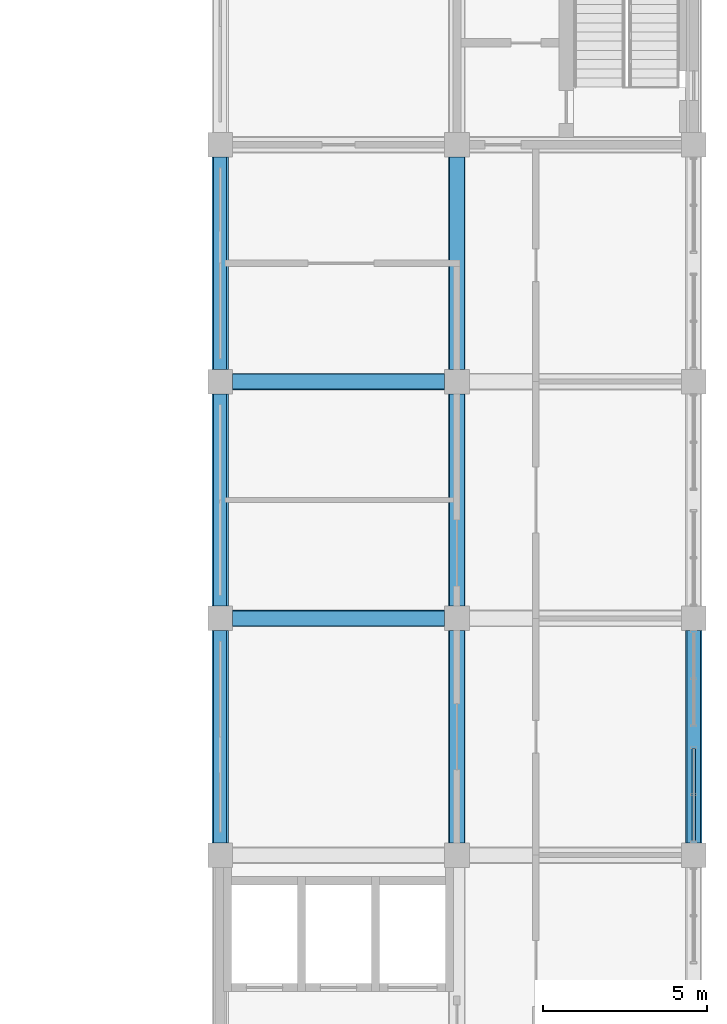
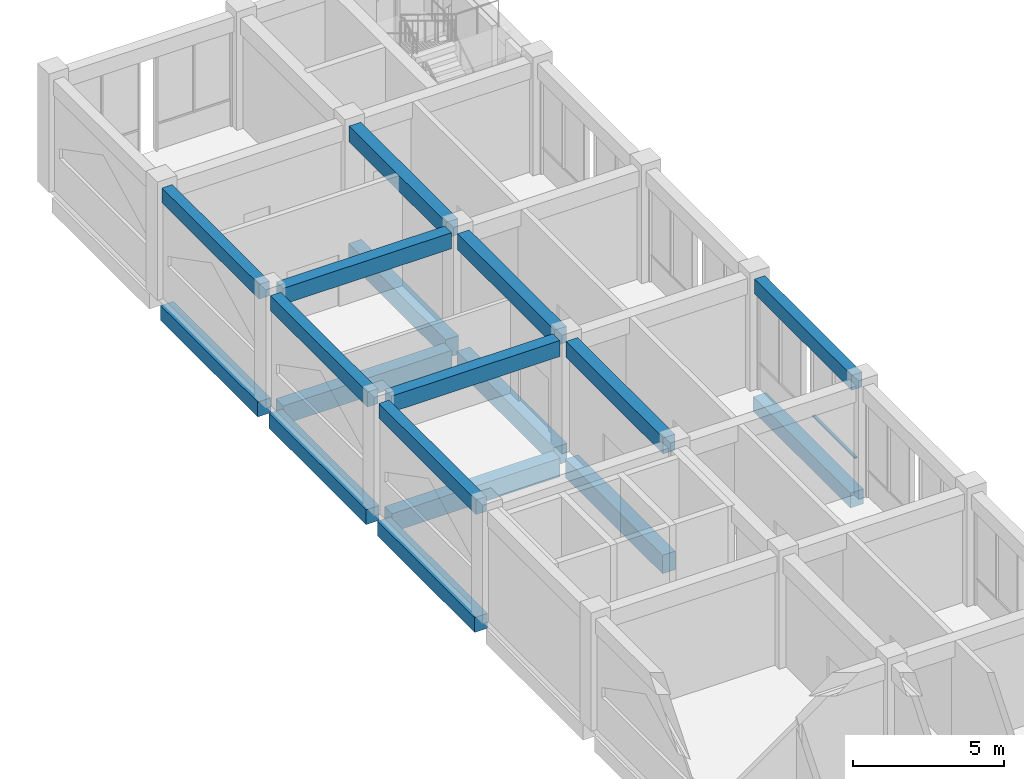
# One storey, part 19 of 39: 18 beams, 1 member, 1 element without a shape of its own.
"""IFC4 building model written with IfcOpenShell, lengths in metres."""

from ifc_helpers import new_model, si_unit, direction, frame, origin, origin_2d, place, context, subcontext, project, spatial, rectangle, hollow_rectangle, extrude, material, material_profile, profile_set, type_object, element, aggregate, save


model = new_model("IFC4")

# Units and contexts
model_context = context("Model", 3, precision=1e-05, world=origin(), true_north=direction((0.0, 1.0)))
body_context = subcontext(model_context, "Body", "Model", "MODEL_VIEW")
ifc_project = project(units=[si_unit("LENGTHUNIT", "METRE"), si_unit("AREAUNIT", "SQUARE_METRE"), si_unit("VOLUMEUNIT", "CUBIC_METRE"), si_unit("PLANEANGLEUNIT", "RADIAN"), si_unit("MASSUNIT", "GRAM", prefix="KILO")], contexts=[model_context])

# Site, building, storey
site_placement = place(None, origin())
site = spatial("IfcSite", under=ifc_project, at=site_placement, CompositionType="ELEMENT")
building_placement = place(site_placement, origin())
building = spatial("IfcBuilding", under=site, at=building_placement, Name="Silangan Lancet Faculty of Sciences", CompositionType="ELEMENT")
storey_placement = place(building_placement, frame((0.0, 0.0, 26.39990234375)))
storey = spatial("IfcBuildingStorey", under=building, at=storey_placement, Name="L05", CompositionType="ELEMENT", Elevation=26.39990234375)

# Beams
ifc_material_1 = material(Name="Concrete C40/50", Category="concrete")
ifc_material_profile_1 = material_profile(ifc_material_1, rectangle(XDim=0.39990234375, YDim=0.60009765625, at=origin_2d()), Name="RC 400x600")
ifc_profile_set_1 = profile_set([ifc_material_profile_1], Name="Concrete C40/50")
beam_type_1 = type_object("IfcBeamType", Name="BEAM RC 400x600", PredefinedType="BEAM", material=ifc_profile_set_1)
for number, where, z_axis, x_axis, name in (
    (1, (72.0, 29.175048828125, 4.2001953125), (0.0, 1.0, 0.0), (-1.0, 0.0, 0.0), "RB-L05-11E-11F"),
    (2, (72.0, 36.375, 4.2001953125), (0.0, 1.0, 0.0), (-1.0, 0.0, 0.0), "RB-L05-11F-11G"),
    (3, (72.0, 43.574951171875, 4.2001953125), (0.0, 1.0, 0.0), (-1.0, 0.0, 0.0), "RB-L05-11G-11H"),
    (4, (86.39990234375, 29.175048828125, 4.2001953125), (0.0, 1.0, 0.0), (-1.0, 0.0, 0.0), "RB-L05-13E-13F"),
):
    element("IfcBeam", number, at=place(storey_placement, frame(where, z_axis=z_axis, x_axis=x_axis)), inside=storey, type_object=beam_type_1, Name=name, PredefinedType="BEAM", context=body_context, shape_type="SweptSolid", body=[
        extrude(rectangle(XDim=0.39990234375, YDim=0.60009765625, at=origin_2d()), origin(), (0.0, 0.0, 1.0), 6.449951171875),
    ])
ifc_material_2 = material(Name="Concrete C40/50", Category="concrete")
ifc_material_profile_2 = material_profile(ifc_material_2, rectangle(XDim=0.449951171875, YDim=0.64990234375, at=origin_2d()), Name="RC 450x650")
ifc_profile_set_2 = profile_set([ifc_material_profile_2], Name="Concrete C40/50")
beam_type_2 = type_object("IfcBeamType", Name="BEAM RC 450x650", PredefinedType="BEAM", material=ifc_profile_set_2)
for number, where, z_axis, x_axis, name in (
    (5, (72.375, 36.0, 4.175048828125), (1.0, 0.0, 0.0), (0.0, 1.0, 0.0), "RB-L05-11F-12F"),
    (6, (72.375, 43.199951171875, 4.175048828125), (1.0, 0.0, 0.0), (0.0, 1.0, 0.0), "RB-L05-11G-12G"),
    (7, (79.199951171875, 29.175048828125, 4.175048828125), (0.0, 1.0, 0.0), (-1.0, 0.0, 0.0), "RB-L05-12E-12F"),
    (8, (79.199951171875, 36.375, 4.175048828125), (0.0, 1.0, 0.0), (-1.0, 0.0, 0.0), "RB-L05-12F-12G"),
    (9, (79.199951171875, 43.574951171875, 4.175048828125), (0.0, 1.0, 0.0), (-1.0, 0.0, 0.0), "RB-L05-12G-12H"),
):
    element("IfcBeam", number, at=place(storey_placement, frame(where, z_axis=z_axis, x_axis=x_axis)), inside=storey, type_object=beam_type_2, Name=name, PredefinedType="BEAM", context=body_context, shape_type="SweptSolid", body=[
        extrude(rectangle(XDim=0.449951171875, YDim=0.64990234375, at=origin_2d()), origin(), (0.0, 0.0, 1.0), 6.449951171875),
    ])
ifc_material_3 = material(Name="Concrete C40/50", Category="concrete")
ifc_material_profile_3 = material_profile(ifc_material_3, rectangle(XDim=0.5, YDim=0.60009765625, at=origin_2d()), Name="RC 500x600")
ifc_profile_set_3 = profile_set([ifc_material_profile_3], Name="Concrete C40/50")
beam_type_3 = type_object("IfcBeamType", Name="BEAM RC 500x600", PredefinedType="BEAM", material=ifc_profile_set_3)
for number, where, z_axis, x_axis, name in (
    (10, (72.0, 29.175048828125, -0.5498046875), (0.0, 1.0, 0.0), (-1.0, 0.0, 0.0), "BM-L05-11E-11F"),
    (11, (72.0, 36.375, -0.5498046875), (0.0, 1.0, 0.0), (-1.0, 0.0, 0.0), "BM-L05-11F-11G"),
    (12, (72.0, 43.574951171875, -0.5498046875), (0.0, 1.0, 0.0), (-1.0, 0.0, 0.0), "BM-L05-11G-11H"),
    (13, (86.39990234375, 29.175048828125, -0.5498046875), (0.0, 1.0, 0.0), (-1.0, 0.0, 0.0), "BM-L05-13E-13F"),
):
    element("IfcBeam", number, at=place(storey_placement, frame(where, z_axis=z_axis, x_axis=x_axis)), inside=storey, type_object=beam_type_3, Name=name, PredefinedType="BEAM", context=body_context, shape_type="SweptSolid", body=[
        extrude(rectangle(XDim=0.5, YDim=0.60009765625, at=origin_2d()), origin(), (0.0, 0.0, 1.0), 6.449951171875),
    ])
ifc_material_4 = material(Name="Concrete C40/50", Category="concrete")
ifc_material_profile_4 = material_profile(ifc_material_4, rectangle(XDim=0.5, YDim=0.75, at=origin_2d()), Name="RC 500x750")
ifc_profile_set_4 = profile_set([ifc_material_profile_4], Name="Concrete C40/50")
beam_type_4 = type_object("IfcBeamType", Name="BEAM RC 500x750", PredefinedType="BEAM", material=ifc_profile_set_4)
for number, where, z_axis, x_axis, name in (
    (14, (72.375, 36.0, -0.625), (1.0, 0.0, 0.0), (0.0, 1.0, 0.0), "BM-L05-11F-12F"),
    (15, (72.375, 43.199951171875, -0.625), (1.0, 0.0, 0.0), (0.0, 1.0, 0.0), "BM-L05-11G-12G"),
    (16, (79.199951171875, 29.175048828125, -0.625), (0.0, 1.0, 0.0), (-1.0, 0.0, 0.0), "BM-L05-12E-12F"),
    (17, (79.199951171875, 36.375, -0.625), (0.0, 1.0, 0.0), (-1.0, 0.0, 0.0), "BM-L05-12F-12G"),
    (18, (79.199951171875, 43.574951171875, -0.625), (0.0, 1.0, 0.0), (-1.0, 0.0, 0.0), "BM-L05-12G-12H"),
):
    element("IfcBeam", number, at=place(storey_placement, frame(where, z_axis=z_axis, x_axis=x_axis)), inside=storey, type_object=beam_type_4, Name=name, PredefinedType="BEAM", context=body_context, shape_type="SweptSolid", body=[
        extrude(rectangle(XDim=0.5, YDim=0.75, at=origin_2d()), origin(), (0.0, 0.0, 1.0), 6.449951171875),
    ])

# Curtain wall, member
ifc_material_5 = material(Name="Aluminium framed curtain wall with insulated glass", Category="aluminium")
curtain_wall_type = type_object("IfcCurtainWallType", Name="CW1 Commons and east block glazing", PredefinedType="NOTDEFINED", material=ifc_material_5)
curtain_wall_placement = place(storey_placement, origin())
curtain_wall = element("IfcCurtainWall", 19, at=curtain_wall_placement, inside=storey, type_object=curtain_wall_type, Name="CW1 East commons L05 bay 7", PredefinedType="NOTDEFINED")
ifc_material_6 = material(Name="Aluminium 6063-T6 extrusion", Category="aluminium")
ifc_material_profile_5 = material_profile(ifc_material_6, hollow_rectangle(XDim=0.10009765625, YDim=0.06005859375, WallThickness=0.0029296875, at=origin_2d()), Name="AL BOX 100x60x3")
ifc_profile_set_5 = profile_set([ifc_material_profile_5], Name="Aluminium 6063-T6 extrusion")
member_type = type_object("IfcMemberType", Name="CT1 Transom 100x60", PredefinedType="USERDEFINED", material=ifc_profile_set_5)
member_placement = place(storey_placement, frame((86.39990234375, 29.235107421875, 1.070068359375), z_axis=(0.0, 1.0, 0.0), x_axis=(-1.0, 0.0, 0.0)))
member = element("IfcMember", 20, at=member_placement, type_object=member_type, Name="CW1 East commons L05 bay 7 transom 1", ObjectType="TRANSOM", PredefinedType="USERDEFINED", context=body_context, shape_type="SweptSolid", body=[
    extrude(hollow_rectangle(XDim=0.10009765625, YDim=0.06005859375, WallThickness=0.0029296875, at=origin_2d()), origin(), (0.0, 0.0, 1.0), 2.8046875),
])
aggregate(curtain_wall, [member])

save(model, "model.ifc")
